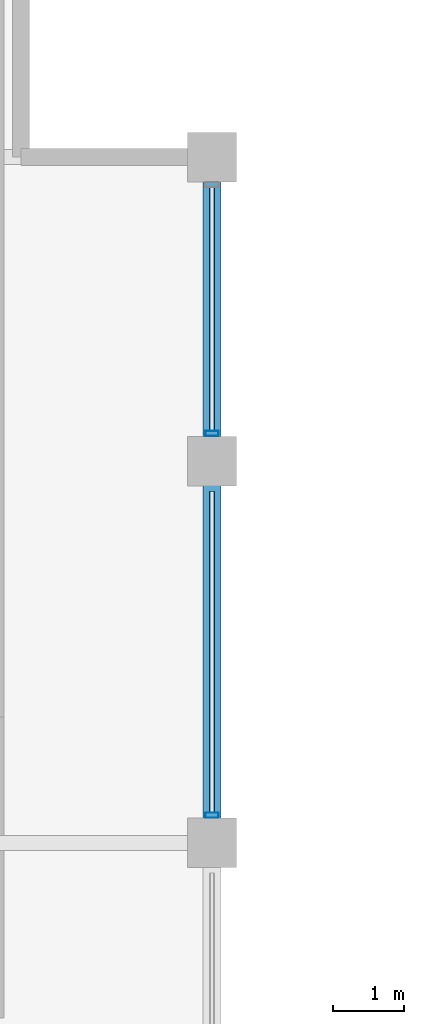
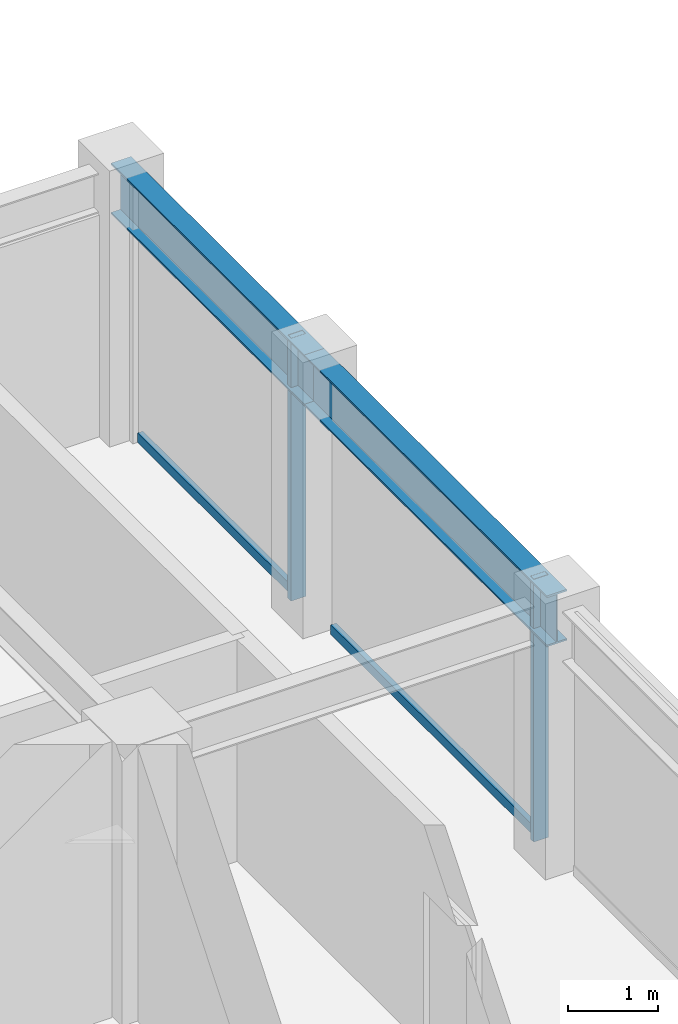
# One storey, part 19 of 30: 4 members, 2 beams, 1 element without a shape of its own.
"""IFC4 building model written with IfcOpenShell, lengths in metres."""

from ifc_helpers import new_model, si_unit, direction, frame, origin, origin_2d, place, context, subcontext, project, spatial, hollow_rectangle, i_section, extrude, material, layer, layer_set, material_profile, profile_set, type_object, element, aggregate, save


model = new_model("IFC4")

# Units and contexts
model_context = context("Model", 3, precision=1e-05, world=origin(), true_north=direction((0.0, 1.0)))
body_context = subcontext(model_context, "Body", "Model", "MODEL_VIEW")
ifc_project = project(units=[si_unit("LENGTHUNIT", "METRE"), si_unit("AREAUNIT", "SQUARE_METRE"), si_unit("VOLUMEUNIT", "CUBIC_METRE"), si_unit("PLANEANGLEUNIT", "RADIAN"), si_unit("MASSUNIT", "GRAM", prefix="KILO")], contexts=[model_context])

# Site, building, storey
site_placement = place(None, origin())
site = spatial("IfcSite", under=ifc_project, at=site_placement, CompositionType="ELEMENT")
building_placement = place(site_placement, origin())
building = spatial("IfcBuilding", under=site, at=building_placement, Name="Surkhivell Harbour Commons", CompositionType="ELEMENT")
storey_placement = place(building_placement, frame((0.0, 0.0, 307.5)))
storey = spatial("IfcBuildingStorey", under=building, at=storey_placement, Name="L80", CompositionType="ELEMENT", Elevation=307.5)

# Beams
ifc_material_1 = material(Name="Steel S355", Category="steel")
ifc_material_profile_1 = material_profile(ifc_material_1, i_section(OverallWidth=0.256103515625, OverallDepth=0.693115234375, WebThickness=0.014404296875, FlangeThickness=0.023681640625, at=origin_2d()), Name="UB686x254x170")
ifc_profile_set_1 = profile_set([ifc_material_profile_1], Name="Steel S355")
beam_type = type_object("IfcBeamType", Name="BM-SPN-686", PredefinedType="SPANDREL", material=ifc_profile_set_1)
beam_1_placement = place(storey_placement, frame((16.199951171875, 10.800048828125, 3.223388671875), z_axis=(0.0, 1.0, 0.0), x_axis=(-1.0, 0.0, 0.0)))
element("IfcBeam", 1, at=beam_1_placement, inside=storey, type_object=beam_type, Name="L80 Tube Spandrel (16.2,10.8)", PredefinedType="SPANDREL", context=body_context, shape_type="SweptSolid", body=[
    extrude(i_section(OverallWidth=0.256103515625, OverallDepth=0.693115234375, WebThickness=0.014404296875, FlangeThickness=0.023681640625, at=origin_2d()), origin(), (0.0, 0.0, 1.0), 5.39990234375),
])
beam_2_placement = place(storey_placement, frame((16.199951171875, 16.199951171875, 3.223388671875), z_axis=(0.0, 1.0, 0.0), x_axis=(-1.0, 0.0, 0.0)))
element("IfcBeam", 2, at=beam_2_placement, inside=storey, type_object=beam_type, Name="L80 Tube Spandrel (16.2,16.2)", PredefinedType="SPANDREL", context=body_context, shape_type="SweptSolid", body=[
    extrude(i_section(OverallWidth=0.256103515625, OverallDepth=0.693115234375, WebThickness=0.014404296875, FlangeThickness=0.023681640625, at=origin_2d()), origin(), (0.0, 0.0, 1.0), 4.300048828125),
])

# Curtain wall, members
ifc_material_2 = material(Name="Anodised pale-metal aluminium and insulated glazing", Category="aluminium")
ifc_layer = layer(ifc_material_2, 0.175048828125)
ifc_layer_set = layer_set([ifc_layer], Name="Anodised pale-metal aluminium and insulated glazing")
curtain_wall_type = type_object("IfcCurtainWallType", Name="CW-SYS-Z4", PredefinedType="NOTDEFINED", material=ifc_layer_set)
curtain_wall_placement = place(storey_placement, origin())
curtain_wall = element("IfcCurtainWall", 3, at=curtain_wall_placement, inside=storey, type_object=curtain_wall_type, Name="L80 Curtain Wall CW-L80-E02R2", PredefinedType="NOTDEFINED")
ifc_material_3 = material(Name="Anodised pale-metal aluminium alloy 6063-T6", Category="aluminium")
ifc_material_profile_2 = material_profile(ifc_material_3, hollow_rectangle(XDim=0.074951171875, YDim=0.18994140625, WallThickness=0.00390625, at=origin_2d()), Name="ALU-MULL-75x190")
ifc_profile_set_2 = profile_set([ifc_material_profile_2], Name="Anodised pale-metal aluminium alloy 6063-T6")
member_type_1 = type_object("IfcMemberType", Name="CWM-190", PredefinedType="MULLION", material=ifc_profile_set_2)
member_1_placement = place(storey_placement, frame((16.199951171875, 11.189453125, 0.0), z_axis=(0.0, 0.0, 1.0), x_axis=(0.0, 1.0, 0.0)))
member_1 = element("IfcMember", 4, at=member_1_placement, type_object=member_type_1, Name="CW-Z4 mullion 2", PredefinedType="MULLION", context=body_context, shape_type="SweptSolid", body=[
    extrude(hollow_rectangle(XDim=0.074951171875, YDim=0.18994140625, WallThickness=0.00390625, at=origin_2d()), origin(), (0.0, 0.0, 1.0), 3.570068359375),
])
member_2_placement = place(storey_placement, frame((16.199951171875, 16.589599609375, 0.0), z_axis=(0.0, 0.0, 1.0), x_axis=(0.0, 1.0, 0.0)))
member_2 = element("IfcMember", 5, at=member_2_placement, type_object=member_type_1, Name="CW-Z4 mullion 3", PredefinedType="MULLION", context=body_context, shape_type="SweptSolid", body=[
    extrude(hollow_rectangle(XDim=0.074951171875, YDim=0.18994140625, WallThickness=0.00390625, at=origin_2d()), origin(), (0.0, 0.0, 1.0), 3.570068359375),
])
ifc_material_4 = material(Name="Champagne anodised aluminium alloy 6063-T6", Category="aluminium")
ifc_material_profile_3 = material_profile(ifc_material_4, hollow_rectangle(XDim=0.070068359375, YDim=0.1298828125, WallThickness=0.00341796875, at=origin_2d()), Name="ALU-TRAN-70x130")
ifc_profile_set_3 = profile_set([ifc_material_profile_3], Name="Champagne anodised aluminium alloy 6063-T6")
member_type_2 = type_object("IfcMemberType", Name="CWT-130", PredefinedType="USERDEFINED", material=ifc_profile_set_3)
member_3_placement = place(storey_placement, frame((16.199951171875, 11.22705078125, 0.06494140625), z_axis=(0.0, 1.0, 0.0), x_axis=(-1.0, 0.0, 0.0)))
member_3 = element("IfcMember", 6, at=member_3_placement, type_object=member_type_2, Name="CW-Z4 transom 2.1", ObjectType="TRANSOM", PredefinedType="USERDEFINED", context=body_context, shape_type="SweptSolid", body=[
    extrude(hollow_rectangle(XDim=0.070068359375, YDim=0.1298828125, WallThickness=0.00341796875, at=origin_2d()), origin(), (0.0, 0.0, 1.0), 4.5458984375),
])
member_4_placement = place(storey_placement, frame((16.199951171875, 16.626953125, 0.06494140625), z_axis=(0.0, 1.0, 0.0), x_axis=(-1.0, 0.0, 0.0)))
member_4 = element("IfcMember", 7, at=member_4_placement, type_object=member_type_2, Name="CW-Z4 transom 3.1", ObjectType="TRANSOM", PredefinedType="USERDEFINED", context=body_context, shape_type="SweptSolid", body=[
    extrude(hollow_rectangle(XDim=0.070068359375, YDim=0.1298828125, WallThickness=0.00341796875, at=origin_2d()), origin(), (0.0, 0.0, 1.0), 3.446044921875),
])
aggregate(curtain_wall, [member_1, member_3, member_2, member_4])

save(model, "model.ifc")
